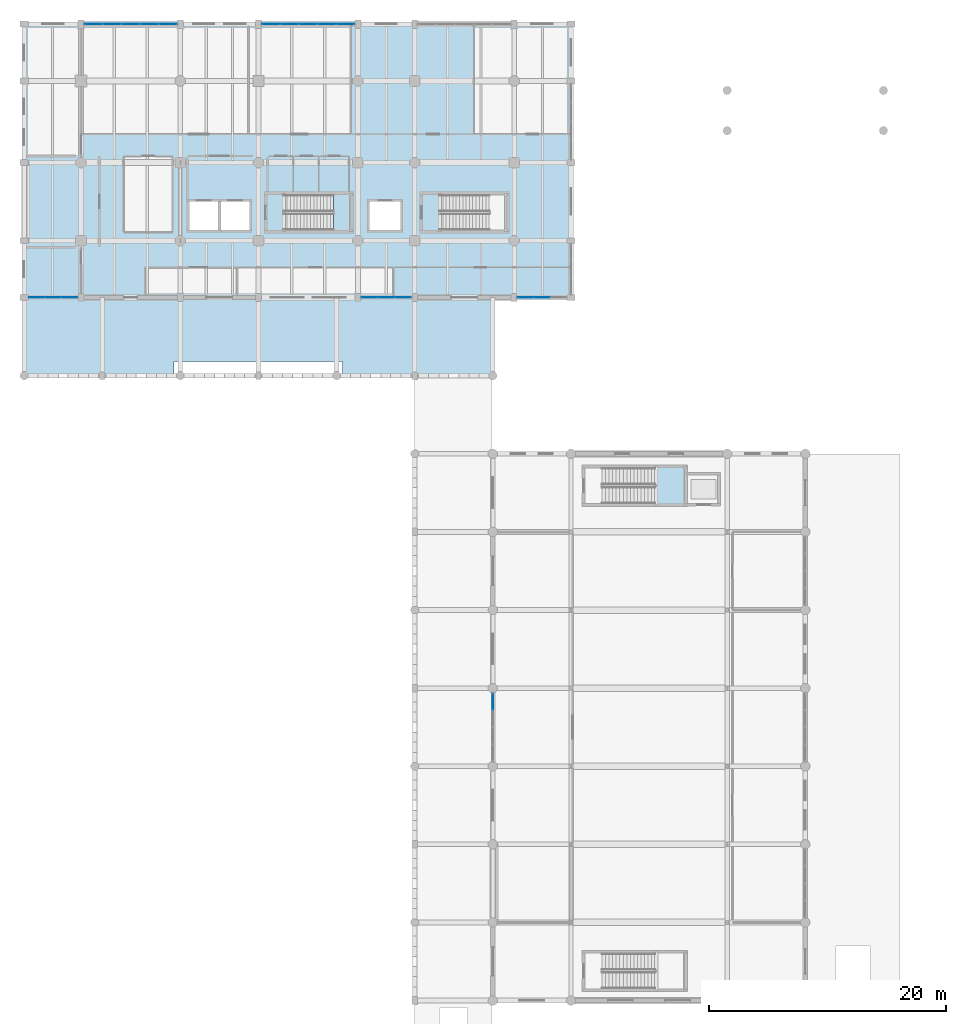
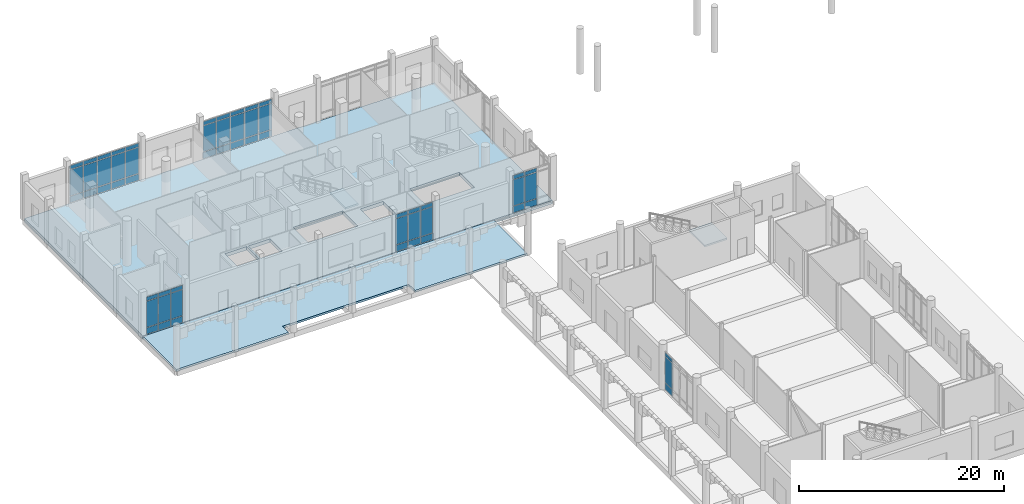
# One storey, part 34 of 72: 57 plates, 4 slabs, 8 elements without a shape of their own.
"""IFC4 building model written with IfcOpenShell, lengths in metres."""

from ifc_helpers import new_model, si_unit, direction, frame, origin, origin_2d, place, context, subcontext, project, spatial, polyline, rectangle, outline, extrude, material, layer, layer_set, type_object, element, aggregate, save


model = new_model("IFC4")

# Units and contexts
model_context = context("Model", 3, precision=1e-05, world=origin(), true_north=direction((0.0, 1.0)))
body_context = subcontext(model_context, "Body", "Model", "MODEL_VIEW")
ifc_project = project(units=[si_unit("LENGTHUNIT", "METRE"), si_unit("AREAUNIT", "SQUARE_METRE"), si_unit("VOLUMEUNIT", "CUBIC_METRE"), si_unit("PLANEANGLEUNIT", "RADIAN"), si_unit("MASSUNIT", "GRAM", prefix="KILO")], contexts=[model_context])

# Site, building, storey
site_placement = place(None, origin())
site = spatial("IfcSite", under=ifc_project, at=site_placement, CompositionType="ELEMENT")
building_placement = place(site_placement, origin())
building = spatial("IfcBuilding", under=site, at=building_placement, Name="Dornvale Research Institute", CompositionType="ELEMENT")
storey_placement = place(building_placement, origin())
storey = spatial("IfcBuildingStorey", under=building, at=storey_placement, Name="L00", CompositionType="ELEMENT", Elevation=0.0)

# Slabs
ifc_material_1 = material(Name="Concrete f'c 35 MPa (C30/37)", Category="concrete")
ifc_layer_1 = layer(ifc_material_1, 0.239990234375)
ifc_layer_set_1 = layer_set([ifc_layer_1], Name="Concrete f'c 35 MPa (C30/37)")
slab_type_1 = type_object("IfcSlabType", Name="BaseSlab_Apron_240_Ext", PredefinedType="BASESLAB", material=ifc_layer_set_1)
slab_1_placement = place(storey_placement, frame((0.0, 0.0, -0.239990234375)))
element("IfcSlab", 1, at=slab_1_placement, inside=storey, type_object=slab_type_1, Name="L00 exterior colonnade and grade walk APR-SQ-N", PredefinedType="BASESLAB", context=body_context, shape_type="SweptSolid", body=[
    extrude(outline(polyline([(0.0, 92.39990234375), (12.656005859375, 92.39990234375), (12.656005859375, 93.60009765625), (26.89404296875, 93.60009765625), (26.89404296875, 92.39990234375), (39.550048828125, 92.39990234375), (39.550048828125, 98.949951171875), (0.0, 98.949951171875), (0.0, 92.39990234375)])), origin(), (0.0, 0.0, 1.0), 0.239990234375),
])
ifc_material_2 = material(Name="Concrete f'c 40 MPa (C32/40)", Category="concrete")
ifc_layer_2 = layer(ifc_material_2, 0.419921875)
ifc_layer_set_2 = layer_set([ifc_layer_2], Name="Concrete f'c 40 MPa (C32/40)")
slab_type_2 = type_object("IfcSlabType", Name="BaseSlab_RC420", PredefinedType="BASESLAB", material=ifc_layer_set_2)
slab_2_placement = place(storey_placement, frame((0.0, 0.0, -0.419921875)))
element("IfcSlab", 2, at=slab_2_placement, inside=storey, type_object=slab_type_2, Name="L00 V5 structural base slab", PredefinedType="BASESLAB", context=body_context, shape_type="SweptSolid", body=[
    extrude(outline(polyline([(0.0, 99.0), (46.199951171875, 99.0), (46.199951171875, 122.10009765625), (0.0, 122.10009765625), (0.0, 99.0)]), holes=[polyline([(21.949951171875, 104.699951171875), (27.550048828125, 104.699951171875), (27.550048828125, 107.659912109375), (21.949951171875, 107.659912109375), (21.949951171875, 104.699951171875)]), polyline([(35.10009765625, 104.699951171875), (40.699951171875, 104.699951171875), (40.699951171875, 107.659912109375), (35.10009765625, 107.659912109375), (35.10009765625, 104.699951171875)]), polyline([(13.949951171875, 104.699951171875), (16.39990234375, 104.699951171875), (16.39990234375, 107.10009765625), (13.949951171875, 107.10009765625), (13.949951171875, 104.699951171875)]), polyline([(16.60009765625, 104.699951171875), (19.050048828125, 104.699951171875), (19.050048828125, 107.10009765625), (16.60009765625, 107.10009765625), (16.60009765625, 104.699951171875)]), polyline([(29.199951171875, 104.699951171875), (31.800048828125, 104.699951171875), (31.800048828125, 107.10009765625), (29.199951171875, 107.10009765625), (29.199951171875, 104.699951171875)])]), origin(), (0.0, 0.0, 1.0), 0.419921875),
])

# Curtain wall, plate
ifc_material_3 = material(Name="Low-E Argon Double Insulating Glazing Unit", Category="glass")
curtain_wall_type_1 = type_object("IfcCurtainWallType", Name="UnitisedCurtainWall_V2_5810x4550", PredefinedType="USERDEFINED", material=ifc_material_3)
curtain_wall_1_placement = place(storey_placement, origin())
curtain_wall_1 = element("IfcCurtainWall", 3, at=curtain_wall_1_placement, inside=storey, type_object=curtain_wall_type_1, Name="L00 V2 unitised curtain wall CW-01 #1", ObjectType="UNITISED CURTAIN WALL", PredefinedType="USERDEFINED")
ifc_material_4 = material(Name="Insulated Ceramic-Frit Spandrel Glass Panel", Category="glass")
ifc_layer_3 = layer(ifc_material_4, 0.0419921875)
ifc_layer_set_3 = layer_set([ifc_layer_3], Name="Insulated Ceramic-Frit Spandrel Glass Panel")
plate_type_1 = type_object("IfcPlateType", Name="CurtainPanel_Spandrel_42", PredefinedType="CURTAIN_PANEL", material=ifc_layer_set_3)
plate_1_placement = place(storey_placement, frame((39.60009765625, 64.862548828125, 0.06494140625), z_axis=(0.0, 0.0, 1.0), x_axis=(0.0, 1.0, 0.0)))
plate_1 = element("IfcPlate", 4, at=plate_1_placement, type_object=plate_type_1, Name="CW-01 panel 4.1", PredefinedType="CURTAIN_PANEL", context=body_context, shape_type="SweptSolid", body=[
    extrude(rectangle(XDim=1.35498046875, YDim=0.0419921875, at=origin_2d()), origin(), (0.0, 0.0, 1.0), 0.75244140625),
])

# Curtain wall, plates
ifc_material_5 = material(Name="Low-E Argon Double Insulating Glazing Unit", Category="glass")
curtain_wall_type_2 = type_object("IfcCurtainWallType", Name="UnitisedCurtainWall_V5_7900x4550", PredefinedType="USERDEFINED", material=ifc_material_5)
curtain_wall_2_placement = place(storey_placement, origin())
curtain_wall_2 = element("IfcCurtainWall", 5, at=curtain_wall_2_placement, inside=storey, type_object=curtain_wall_type_2, Name="L00 V5 unitised curtain wall CW-20 #125", ObjectType="UNITISED CURTAIN WALL", PredefinedType="USERDEFINED")
plate_2_placement = place(storey_placement, frame((5.856201171875, 122.10009765625, 0.06494140625), z_axis=(0.0, 0.0, 1.0), x_axis=(1.0, 0.0, 0.0)))
plate_2 = element("IfcPlate", 6, at=plate_2_placement, type_object=plate_type_1, Name="CW-20 panel 1.1", PredefinedType="CURTAIN_PANEL", context=body_context, shape_type="SweptSolid", body=[
    extrude(rectangle(XDim=1.482421875, YDim=0.0419921875, at=origin_2d()), origin(), (0.0, 0.0, 1.0), 0.75244140625),
])
plate_3_placement = place(storey_placement, frame((7.419921875, 122.10009765625, 0.06494140625), z_axis=(0.0, 0.0, 1.0), x_axis=(1.0, 0.0, 0.0)))
plate_3 = element("IfcPlate", 7, at=plate_3_placement, type_object=plate_type_1, Name="CW-20 panel 2.1", PredefinedType="CURTAIN_PANEL", context=body_context, shape_type="SweptSolid", body=[
    extrude(rectangle(XDim=1.514892578125, YDim=0.0419921875, at=origin_2d()), origin(), (0.0, 0.0, 1.0), 0.75244140625),
])
plate_4_placement = place(storey_placement, frame((9.0, 122.10009765625, 0.06494140625), z_axis=(0.0, 0.0, 1.0), x_axis=(1.0, 0.0, 0.0)))
plate_4 = element("IfcPlate", 8, at=plate_4_placement, type_object=plate_type_1, Name="CW-20 panel 3.1", PredefinedType="CURTAIN_PANEL", context=body_context, shape_type="SweptSolid", body=[
    extrude(rectangle(XDim=1.514892578125, YDim=0.0419921875, at=origin_2d()), origin(), (0.0, 0.0, 1.0), 0.75244140625),
])
plate_5_placement = place(storey_placement, frame((10.580078125, 122.10009765625, 0.06494140625), z_axis=(0.0, 0.0, 1.0), x_axis=(1.0, 0.0, 0.0)))
plate_5 = element("IfcPlate", 9, at=plate_5_placement, type_object=plate_type_1, Name="CW-20 panel 4.1", PredefinedType="CURTAIN_PANEL", context=body_context, shape_type="SweptSolid", body=[
    extrude(rectangle(XDim=1.514892578125, YDim=0.0419921875, at=origin_2d()), origin(), (0.0, 0.0, 1.0), 0.75244140625),
])
plate_6_placement = place(storey_placement, frame((12.143798828125, 122.10009765625, 0.06494140625), z_axis=(0.0, 0.0, 1.0), x_axis=(1.0, 0.0, 0.0)))
plate_6 = element("IfcPlate", 10, at=plate_6_placement, type_object=plate_type_1, Name="CW-20 panel 5.1", PredefinedType="CURTAIN_PANEL", context=body_context, shape_type="SweptSolid", body=[
    extrude(rectangle(XDim=1.482421875, YDim=0.0419921875, at=origin_2d()), origin(), (0.0, 0.0, 1.0), 0.75244140625),
])

curtain_wall_3_placement = place(storey_placement, origin())
curtain_wall_3 = element("IfcCurtainWall", 11, at=curtain_wall_3_placement, inside=storey, type_object=curtain_wall_type_2, Name="L00 V5 unitised curtain wall CW-20 #126", ObjectType="UNITISED CURTAIN WALL", PredefinedType="USERDEFINED")
plate_7_placement = place(storey_placement, frame((20.856201171875, 122.10009765625, 0.06494140625), z_axis=(0.0, 0.0, 1.0), x_axis=(1.0, 0.0, 0.0)))
plate_7 = element("IfcPlate", 12, at=plate_7_placement, type_object=plate_type_1, Name="CW-20 panel 1.1", PredefinedType="CURTAIN_PANEL", context=body_context, shape_type="SweptSolid", body=[
    extrude(rectangle(XDim=1.482421875, YDim=0.0419921875, at=origin_2d()), origin(), (0.0, 0.0, 1.0), 0.75244140625),
])
plate_8_placement = place(storey_placement, frame((22.419921875, 122.10009765625, 0.06494140625), z_axis=(0.0, 0.0, 1.0), x_axis=(1.0, 0.0, 0.0)))
plate_8 = element("IfcPlate", 13, at=plate_8_placement, type_object=plate_type_1, Name="CW-20 panel 2.1", PredefinedType="CURTAIN_PANEL", context=body_context, shape_type="SweptSolid", body=[
    extrude(rectangle(XDim=1.514892578125, YDim=0.0419921875, at=origin_2d()), origin(), (0.0, 0.0, 1.0), 0.75244140625),
])
plate_9_placement = place(storey_placement, frame((24.0, 122.10009765625, 0.06494140625), z_axis=(0.0, 0.0, 1.0), x_axis=(1.0, 0.0, 0.0)))
plate_9 = element("IfcPlate", 14, at=plate_9_placement, type_object=plate_type_1, Name="CW-20 panel 3.1", PredefinedType="CURTAIN_PANEL", context=body_context, shape_type="SweptSolid", body=[
    extrude(rectangle(XDim=1.514892578125, YDim=0.0419921875, at=origin_2d()), origin(), (0.0, 0.0, 1.0), 0.75244140625),
])
plate_10_placement = place(storey_placement, frame((25.580078125, 122.10009765625, 0.06494140625), z_axis=(0.0, 0.0, 1.0), x_axis=(1.0, 0.0, 0.0)))
plate_10 = element("IfcPlate", 15, at=plate_10_placement, type_object=plate_type_1, Name="CW-20 panel 4.1", PredefinedType="CURTAIN_PANEL", context=body_context, shape_type="SweptSolid", body=[
    extrude(rectangle(XDim=1.514892578125, YDim=0.0419921875, at=origin_2d()), origin(), (0.0, 0.0, 1.0), 0.75244140625),
])
plate_11_placement = place(storey_placement, frame((27.143798828125, 122.10009765625, 0.06494140625), z_axis=(0.0, 0.0, 1.0), x_axis=(1.0, 0.0, 0.0)))
plate_11 = element("IfcPlate", 16, at=plate_11_placement, type_object=plate_type_1, Name="CW-20 panel 5.1", PredefinedType="CURTAIN_PANEL", context=body_context, shape_type="SweptSolid", body=[
    extrude(rectangle(XDim=1.482421875, YDim=0.0419921875, at=origin_2d()), origin(), (0.0, 0.0, 1.0), 0.75244140625),
])

ifc_material_6 = material(Name="Low-E Argon Double Insulating Glazing Unit", Category="glass")
curtain_wall_type_3 = type_object("IfcCurtainWallType", Name="UnitisedCurtainWall_V5_4200x4550", PredefinedType="USERDEFINED", material=ifc_material_6)
curtain_wall_4_placement = place(storey_placement, origin())
curtain_wall_4 = element("IfcCurtainWall", 17, at=curtain_wall_4_placement, inside=storey, type_object=curtain_wall_type_3, Name="L00 V5 unitised curtain wall CW-23 #130", ObjectType="UNITISED CURTAIN WALL", PredefinedType="USERDEFINED")
plate_12_placement = place(storey_placement, frame((43.75, 99.0, 0.06494140625), z_axis=(0.0, 0.0, 1.0), x_axis=(-1.0, 0.0, 0.0)))
plate_12 = element("IfcPlate", 18, at=plate_12_placement, type_object=plate_type_1, Name="CW-23 panel 2.1", PredefinedType="CURTAIN_PANEL", context=body_context, shape_type="SweptSolid", body=[
    extrude(rectangle(XDim=1.3349609375, YDim=0.0419921875, at=origin_2d()), origin(), (0.0, 0.0, 1.0), 0.75244140625),
])
plate_13_placement = place(storey_placement, frame((42.3662109375, 99.0, 0.06494140625), z_axis=(0.0, 0.0, 1.0), x_axis=(-1.0, 0.0, 0.0)))
plate_13 = element("IfcPlate", 19, at=plate_13_placement, type_object=plate_type_1, Name="CW-23 panel 3.1", PredefinedType="CURTAIN_PANEL", context=body_context, shape_type="SweptSolid", body=[
    extrude(rectangle(XDim=1.302490234375, YDim=0.0419921875, at=origin_2d()), origin(), (0.0, 0.0, 1.0), 0.75244140625),
])

ifc_material_7 = material(Name="Low-E Argon Double Insulating Glazing Unit", Category="glass")
curtain_wall_type_4 = type_object("IfcCurtainWallType", Name="UnitisedCurtainWall_V5_4300x4550", PredefinedType="USERDEFINED", material=ifc_material_7)
curtain_wall_5_placement = place(storey_placement, origin())
curtain_wall_5 = element("IfcCurtainWall", 20, at=curtain_wall_5_placement, inside=storey, type_object=curtain_wall_type_4, Name="L00 V5 unitised curtain wall CW-22 #131", ObjectType="UNITISED CURTAIN WALL", PredefinedType="USERDEFINED")
plate_14_placement = place(storey_placement, frame((32.01708984375, 99.0, 0.06494140625), z_axis=(0.0, 0.0, 1.0), x_axis=(-1.0, 0.0, 0.0)))
plate_14 = element("IfcPlate", 21, at=plate_14_placement, type_object=plate_type_1, Name="CW-22 panel 1.1", PredefinedType="CURTAIN_PANEL", context=body_context, shape_type="SweptSolid", body=[
    extrude(rectangle(XDim=1.3359375, YDim=0.0419921875, at=origin_2d()), origin(), (0.0, 0.0, 1.0), 0.75244140625),
])
plate_15_placement = place(storey_placement, frame((30.60009765625, 99.0, 0.06494140625), z_axis=(0.0, 0.0, 1.0), x_axis=(-1.0, 0.0, 0.0)))
plate_15 = element("IfcPlate", 22, at=plate_15_placement, type_object=plate_type_1, Name="CW-22 panel 2.1", PredefinedType="CURTAIN_PANEL", context=body_context, shape_type="SweptSolid", body=[
    extrude(rectangle(XDim=1.368408203125, YDim=0.0419921875, at=origin_2d()), origin(), (0.0, 0.0, 1.0), 0.75244140625),
])
plate_16_placement = place(storey_placement, frame((29.182861328125, 99.0, 0.06494140625), z_axis=(0.0, 0.0, 1.0), x_axis=(-1.0, 0.0, 0.0)))
plate_16 = element("IfcPlate", 23, at=plate_16_placement, type_object=plate_type_1, Name="CW-22 panel 3.1", PredefinedType="CURTAIN_PANEL", context=body_context, shape_type="SweptSolid", body=[
    extrude(rectangle(XDim=1.3359375, YDim=0.0419921875, at=origin_2d()), origin(), (0.0, 0.0, 1.0), 0.75244140625),
])

curtain_wall_6_placement = place(storey_placement, origin())
curtain_wall_6 = element("IfcCurtainWall", 24, at=curtain_wall_6_placement, inside=storey, type_object=curtain_wall_type_3, Name="L00 V5 unitised curtain wall CW-23 #132", ObjectType="UNITISED CURTAIN WALL", PredefinedType="USERDEFINED")
plate_17_placement = place(storey_placement, frame((3.833740234375, 99.0, 0.06494140625), z_axis=(0.0, 0.0, 1.0), x_axis=(-1.0, 0.0, 0.0)))
plate_17 = element("IfcPlate", 25, at=plate_17_placement, type_object=plate_type_1, Name="CW-23 panel 1.1", PredefinedType="CURTAIN_PANEL", context=body_context, shape_type="SweptSolid", body=[
    extrude(rectangle(XDim=1.302490234375, YDim=0.0419921875, at=origin_2d()), origin(), (0.0, 0.0, 1.0), 0.75244140625),
])
plate_18_placement = place(storey_placement, frame((2.449951171875, 99.0, 0.06494140625), z_axis=(0.0, 0.0, 1.0), x_axis=(-1.0, 0.0, 0.0)))
plate_18 = element("IfcPlate", 26, at=plate_18_placement, type_object=plate_type_1, Name="CW-23 panel 2.1", PredefinedType="CURTAIN_PANEL", context=body_context, shape_type="SweptSolid", body=[
    extrude(rectangle(XDim=1.3349609375, YDim=0.0419921875, at=origin_2d()), origin(), (0.0, 0.0, 1.0), 0.75244140625),
])
plate_19_placement = place(storey_placement, frame((1.066162109375, 99.0, 0.06494140625), z_axis=(0.0, 0.0, 1.0), x_axis=(-1.0, 0.0, 0.0)))
plate_19 = element("IfcPlate", 27, at=plate_19_placement, type_object=plate_type_1, Name="CW-23 panel 3.1", PredefinedType="CURTAIN_PANEL", context=body_context, shape_type="SweptSolid", body=[
    extrude(rectangle(XDim=1.302490234375, YDim=0.0419921875, at=origin_2d()), origin(), (0.0, 0.0, 1.0), 0.75244140625),
])

# Plate
ifc_material_8 = material(Name="Low-E Argon Double Insulating Glazing Unit", Category="glass")
ifc_layer_4 = layer(ifc_material_8, 0.028076171875)
ifc_layer_set_4 = layer_set([ifc_layer_4], Name="Low-E Argon Double Insulating Glazing Unit")
plate_type_2 = type_object("IfcPlateType", Name="CurtainPanel_Vision_28", PredefinedType="CURTAIN_PANEL", material=ifc_layer_set_4)
plate_20_placement = place(storey_placement, frame((39.60009765625, 64.862548828125, 0.882568359375), z_axis=(0.0, 0.0, 1.0), x_axis=(0.0, 1.0, 0.0)))
plate_20 = element("IfcPlate", 28, at=plate_20_placement, type_object=plate_type_2, Name="CW-01 panel 4.2", PredefinedType="CURTAIN_PANEL", context=body_context, shape_type="SweptSolid", body=[
    extrude(rectangle(XDim=1.35498046875, YDim=0.028076171875, at=origin_2d()), origin(), (0.0, 0.0, 1.0), 3.0849609375),
])

plate_21_placement = place(storey_placement, frame((39.60009765625, 64.862548828125, 4.03271484375), z_axis=(0.0, 0.0, 1.0), x_axis=(0.0, 1.0, 0.0)))
plate_21 = element("IfcPlate", 29, at=plate_21_placement, type_object=plate_type_2, Name="CW-01 panel 4.3", PredefinedType="CURTAIN_PANEL", context=body_context, shape_type="SweptSolid", body=[
    extrude(rectangle(XDim=1.35498046875, YDim=0.028076171875, at=origin_2d()), origin(), (0.0, 0.0, 1.0), 0.452392578125),
])

aggregate(curtain_wall_1, [plate_1, plate_20, plate_21])

plate_22_placement = place(storey_placement, frame((5.856201171875, 122.10009765625, 0.882568359375), z_axis=(0.0, 0.0, 1.0), x_axis=(1.0, 0.0, 0.0)))
plate_22 = element("IfcPlate", 30, at=plate_22_placement, type_object=plate_type_2, Name="CW-20 panel 1.2", PredefinedType="CURTAIN_PANEL", context=body_context, shape_type="SweptSolid", body=[
    extrude(rectangle(XDim=1.482421875, YDim=0.028076171875, at=origin_2d()), origin(), (0.0, 0.0, 1.0), 3.0849609375),
])

plate_23_placement = place(storey_placement, frame((5.856201171875, 122.10009765625, 4.03271484375), z_axis=(0.0, 0.0, 1.0), x_axis=(1.0, 0.0, 0.0)))
plate_23 = element("IfcPlate", 31, at=plate_23_placement, type_object=plate_type_2, Name="CW-20 panel 1.3", PredefinedType="CURTAIN_PANEL", context=body_context, shape_type="SweptSolid", body=[
    extrude(rectangle(XDim=1.482421875, YDim=0.028076171875, at=origin_2d()), origin(), (0.0, 0.0, 1.0), 0.452392578125),
])

plate_24_placement = place(storey_placement, frame((7.419921875, 122.10009765625, 0.882568359375), z_axis=(0.0, 0.0, 1.0), x_axis=(1.0, 0.0, 0.0)))
plate_24 = element("IfcPlate", 32, at=plate_24_placement, type_object=plate_type_2, Name="CW-20 panel 2.2", PredefinedType="CURTAIN_PANEL", context=body_context, shape_type="SweptSolid", body=[
    extrude(rectangle(XDim=1.514892578125, YDim=0.028076171875, at=origin_2d()), origin(), (0.0, 0.0, 1.0), 3.0849609375),
])

plate_25_placement = place(storey_placement, frame((7.419921875, 122.10009765625, 4.03271484375), z_axis=(0.0, 0.0, 1.0), x_axis=(1.0, 0.0, 0.0)))
plate_25 = element("IfcPlate", 33, at=plate_25_placement, type_object=plate_type_2, Name="CW-20 panel 2.3", PredefinedType="CURTAIN_PANEL", context=body_context, shape_type="SweptSolid", body=[
    extrude(rectangle(XDim=1.514892578125, YDim=0.028076171875, at=origin_2d()), origin(), (0.0, 0.0, 1.0), 0.452392578125),
])

plate_26_placement = place(storey_placement, frame((9.0, 122.10009765625, 0.882568359375), z_axis=(0.0, 0.0, 1.0), x_axis=(1.0, 0.0, 0.0)))
plate_26 = element("IfcPlate", 34, at=plate_26_placement, type_object=plate_type_2, Name="CW-20 panel 3.2", PredefinedType="CURTAIN_PANEL", context=body_context, shape_type="SweptSolid", body=[
    extrude(rectangle(XDim=1.514892578125, YDim=0.028076171875, at=origin_2d()), origin(), (0.0, 0.0, 1.0), 3.0849609375),
])

plate_27_placement = place(storey_placement, frame((9.0, 122.10009765625, 4.03271484375), z_axis=(0.0, 0.0, 1.0), x_axis=(1.0, 0.0, 0.0)))
plate_27 = element("IfcPlate", 35, at=plate_27_placement, type_object=plate_type_2, Name="CW-20 panel 3.3", PredefinedType="CURTAIN_PANEL", context=body_context, shape_type="SweptSolid", body=[
    extrude(rectangle(XDim=1.514892578125, YDim=0.028076171875, at=origin_2d()), origin(), (0.0, 0.0, 1.0), 0.452392578125),
])

plate_28_placement = place(storey_placement, frame((10.580078125, 122.10009765625, 0.882568359375), z_axis=(0.0, 0.0, 1.0), x_axis=(1.0, 0.0, 0.0)))
plate_28 = element("IfcPlate", 36, at=plate_28_placement, type_object=plate_type_2, Name="CW-20 panel 4.2", PredefinedType="CURTAIN_PANEL", context=body_context, shape_type="SweptSolid", body=[
    extrude(rectangle(XDim=1.514892578125, YDim=0.028076171875, at=origin_2d()), origin(), (0.0, 0.0, 1.0), 3.0849609375),
])

plate_29_placement = place(storey_placement, frame((10.580078125, 122.10009765625, 4.03271484375), z_axis=(0.0, 0.0, 1.0), x_axis=(1.0, 0.0, 0.0)))
plate_29 = element("IfcPlate", 37, at=plate_29_placement, type_object=plate_type_2, Name="CW-20 panel 4.3", PredefinedType="CURTAIN_PANEL", context=body_context, shape_type="SweptSolid", body=[
    extrude(rectangle(XDim=1.514892578125, YDim=0.028076171875, at=origin_2d()), origin(), (0.0, 0.0, 1.0), 0.452392578125),
])

plate_30_placement = place(storey_placement, frame((12.143798828125, 122.10009765625, 0.882568359375), z_axis=(0.0, 0.0, 1.0), x_axis=(1.0, 0.0, 0.0)))
plate_30 = element("IfcPlate", 38, at=plate_30_placement, type_object=plate_type_2, Name="CW-20 panel 5.2", PredefinedType="CURTAIN_PANEL", context=body_context, shape_type="SweptSolid", body=[
    extrude(rectangle(XDim=1.482421875, YDim=0.028076171875, at=origin_2d()), origin(), (0.0, 0.0, 1.0), 3.0849609375),
])

plate_31_placement = place(storey_placement, frame((12.143798828125, 122.10009765625, 4.03271484375), z_axis=(0.0, 0.0, 1.0), x_axis=(1.0, 0.0, 0.0)))
plate_31 = element("IfcPlate", 39, at=plate_31_placement, type_object=plate_type_2, Name="CW-20 panel 5.3", PredefinedType="CURTAIN_PANEL", context=body_context, shape_type="SweptSolid", body=[
    extrude(rectangle(XDim=1.482421875, YDim=0.028076171875, at=origin_2d()), origin(), (0.0, 0.0, 1.0), 0.452392578125),
])

aggregate(curtain_wall_2, [plate_2, plate_22, plate_23, plate_3, plate_24, plate_25, plate_4, plate_26, plate_27, plate_5, plate_28, plate_29, plate_6, plate_30, plate_31])

plate_32_placement = place(storey_placement, frame((20.856201171875, 122.10009765625, 0.882568359375), z_axis=(0.0, 0.0, 1.0), x_axis=(1.0, 0.0, 0.0)))
plate_32 = element("IfcPlate", 40, at=plate_32_placement, type_object=plate_type_2, Name="CW-20 panel 1.2", PredefinedType="CURTAIN_PANEL", context=body_context, shape_type="SweptSolid", body=[
    extrude(rectangle(XDim=1.482421875, YDim=0.028076171875, at=origin_2d()), origin(), (0.0, 0.0, 1.0), 3.0849609375),
])

plate_33_placement = place(storey_placement, frame((20.856201171875, 122.10009765625, 4.03271484375), z_axis=(0.0, 0.0, 1.0), x_axis=(1.0, 0.0, 0.0)))
plate_33 = element("IfcPlate", 41, at=plate_33_placement, type_object=plate_type_2, Name="CW-20 panel 1.3", PredefinedType="CURTAIN_PANEL", context=body_context, shape_type="SweptSolid", body=[
    extrude(rectangle(XDim=1.482421875, YDim=0.028076171875, at=origin_2d()), origin(), (0.0, 0.0, 1.0), 0.452392578125),
])

plate_34_placement = place(storey_placement, frame((22.419921875, 122.10009765625, 0.882568359375), z_axis=(0.0, 0.0, 1.0), x_axis=(1.0, 0.0, 0.0)))
plate_34 = element("IfcPlate", 42, at=plate_34_placement, type_object=plate_type_2, Name="CW-20 panel 2.2", PredefinedType="CURTAIN_PANEL", context=body_context, shape_type="SweptSolid", body=[
    extrude(rectangle(XDim=1.514892578125, YDim=0.028076171875, at=origin_2d()), origin(), (0.0, 0.0, 1.0), 3.0849609375),
])

plate_35_placement = place(storey_placement, frame((22.419921875, 122.10009765625, 4.03271484375), z_axis=(0.0, 0.0, 1.0), x_axis=(1.0, 0.0, 0.0)))
plate_35 = element("IfcPlate", 43, at=plate_35_placement, type_object=plate_type_2, Name="CW-20 panel 2.3", PredefinedType="CURTAIN_PANEL", context=body_context, shape_type="SweptSolid", body=[
    extrude(rectangle(XDim=1.514892578125, YDim=0.028076171875, at=origin_2d()), origin(), (0.0, 0.0, 1.0), 0.452392578125),
])

plate_36_placement = place(storey_placement, frame((24.0, 122.10009765625, 0.882568359375), z_axis=(0.0, 0.0, 1.0), x_axis=(1.0, 0.0, 0.0)))
plate_36 = element("IfcPlate", 44, at=plate_36_placement, type_object=plate_type_2, Name="CW-20 panel 3.2", PredefinedType="CURTAIN_PANEL", context=body_context, shape_type="SweptSolid", body=[
    extrude(rectangle(XDim=1.514892578125, YDim=0.028076171875, at=origin_2d()), origin(), (0.0, 0.0, 1.0), 3.0849609375),
])

plate_37_placement = place(storey_placement, frame((24.0, 122.10009765625, 4.03271484375), z_axis=(0.0, 0.0, 1.0), x_axis=(1.0, 0.0, 0.0)))
plate_37 = element("IfcPlate", 45, at=plate_37_placement, type_object=plate_type_2, Name="CW-20 panel 3.3", PredefinedType="CURTAIN_PANEL", context=body_context, shape_type="SweptSolid", body=[
    extrude(rectangle(XDim=1.514892578125, YDim=0.028076171875, at=origin_2d()), origin(), (0.0, 0.0, 1.0), 0.452392578125),
])

plate_38_placement = place(storey_placement, frame((25.580078125, 122.10009765625, 0.882568359375), z_axis=(0.0, 0.0, 1.0), x_axis=(1.0, 0.0, 0.0)))
plate_38 = element("IfcPlate", 46, at=plate_38_placement, type_object=plate_type_2, Name="CW-20 panel 4.2", PredefinedType="CURTAIN_PANEL", context=body_context, shape_type="SweptSolid", body=[
    extrude(rectangle(XDim=1.514892578125, YDim=0.028076171875, at=origin_2d()), origin(), (0.0, 0.0, 1.0), 3.0849609375),
])

plate_39_placement = place(storey_placement, frame((25.580078125, 122.10009765625, 4.03271484375), z_axis=(0.0, 0.0, 1.0), x_axis=(1.0, 0.0, 0.0)))
plate_39 = element("IfcPlate", 47, at=plate_39_placement, type_object=plate_type_2, Name="CW-20 panel 4.3", PredefinedType="CURTAIN_PANEL", context=body_context, shape_type="SweptSolid", body=[
    extrude(rectangle(XDim=1.514892578125, YDim=0.028076171875, at=origin_2d()), origin(), (0.0, 0.0, 1.0), 0.452392578125),
])

plate_40_placement = place(storey_placement, frame((27.143798828125, 122.10009765625, 0.882568359375), z_axis=(0.0, 0.0, 1.0), x_axis=(1.0, 0.0, 0.0)))
plate_40 = element("IfcPlate", 48, at=plate_40_placement, type_object=plate_type_2, Name="CW-20 panel 5.2", PredefinedType="CURTAIN_PANEL", context=body_context, shape_type="SweptSolid", body=[
    extrude(rectangle(XDim=1.482421875, YDim=0.028076171875, at=origin_2d()), origin(), (0.0, 0.0, 1.0), 3.0849609375),
])

plate_41_placement = place(storey_placement, frame((27.143798828125, 122.10009765625, 4.03271484375), z_axis=(0.0, 0.0, 1.0), x_axis=(1.0, 0.0, 0.0)))
plate_41 = element("IfcPlate", 49, at=plate_41_placement, type_object=plate_type_2, Name="CW-20 panel 5.3", PredefinedType="CURTAIN_PANEL", context=body_context, shape_type="SweptSolid", body=[
    extrude(rectangle(XDim=1.482421875, YDim=0.028076171875, at=origin_2d()), origin(), (0.0, 0.0, 1.0), 0.452392578125),
])

aggregate(curtain_wall_3, [plate_7, plate_32, plate_33, plate_8, plate_34, plate_35, plate_9, plate_36, plate_37, plate_10, plate_38, plate_39, plate_11, plate_40, plate_41])

plate_42_placement = place(storey_placement, frame((43.75, 99.0, 0.882568359375), z_axis=(0.0, 0.0, 1.0), x_axis=(-1.0, 0.0, 0.0)))
plate_42 = element("IfcPlate", 50, at=plate_42_placement, type_object=plate_type_2, Name="CW-23 panel 2.2", PredefinedType="CURTAIN_PANEL", context=body_context, shape_type="SweptSolid", body=[
    extrude(rectangle(XDim=1.3349609375, YDim=0.028076171875, at=origin_2d()), origin(), (0.0, 0.0, 1.0), 3.0849609375),
])

plate_43_placement = place(storey_placement, frame((43.75, 99.0, 4.03271484375), z_axis=(0.0, 0.0, 1.0), x_axis=(-1.0, 0.0, 0.0)))
plate_43 = element("IfcPlate", 51, at=plate_43_placement, type_object=plate_type_2, Name="CW-23 panel 2.3", PredefinedType="CURTAIN_PANEL", context=body_context, shape_type="SweptSolid", body=[
    extrude(rectangle(XDim=1.3349609375, YDim=0.028076171875, at=origin_2d()), origin(), (0.0, 0.0, 1.0), 0.452392578125),
])

plate_44_placement = place(storey_placement, frame((42.3662109375, 99.0, 0.882568359375), z_axis=(0.0, 0.0, 1.0), x_axis=(-1.0, 0.0, 0.0)))
plate_44 = element("IfcPlate", 52, at=plate_44_placement, type_object=plate_type_2, Name="CW-23 panel 3.2", PredefinedType="CURTAIN_PANEL", context=body_context, shape_type="SweptSolid", body=[
    extrude(rectangle(XDim=1.302490234375, YDim=0.028076171875, at=origin_2d()), origin(), (0.0, 0.0, 1.0), 3.0849609375),
])

plate_45_placement = place(storey_placement, frame((42.3662109375, 99.0, 4.03271484375), z_axis=(0.0, 0.0, 1.0), x_axis=(-1.0, 0.0, 0.0)))
plate_45 = element("IfcPlate", 53, at=plate_45_placement, type_object=plate_type_2, Name="CW-23 panel 3.3", PredefinedType="CURTAIN_PANEL", context=body_context, shape_type="SweptSolid", body=[
    extrude(rectangle(XDim=1.302490234375, YDim=0.028076171875, at=origin_2d()), origin(), (0.0, 0.0, 1.0), 0.452392578125),
])

aggregate(curtain_wall_4, [plate_12, plate_42, plate_43, plate_13, plate_44, plate_45])

plate_46_placement = place(storey_placement, frame((32.01708984375, 99.0, 0.882568359375), z_axis=(0.0, 0.0, 1.0), x_axis=(-1.0, 0.0, 0.0)))
plate_46 = element("IfcPlate", 54, at=plate_46_placement, type_object=plate_type_2, Name="CW-22 panel 1.2", PredefinedType="CURTAIN_PANEL", context=body_context, shape_type="SweptSolid", body=[
    extrude(rectangle(XDim=1.3359375, YDim=0.028076171875, at=origin_2d()), origin(), (0.0, 0.0, 1.0), 3.0849609375),
])

plate_47_placement = place(storey_placement, frame((32.01708984375, 99.0, 4.03271484375), z_axis=(0.0, 0.0, 1.0), x_axis=(-1.0, 0.0, 0.0)))
plate_47 = element("IfcPlate", 55, at=plate_47_placement, type_object=plate_type_2, Name="CW-22 panel 1.3", PredefinedType="CURTAIN_PANEL", context=body_context, shape_type="SweptSolid", body=[
    extrude(rectangle(XDim=1.3359375, YDim=0.028076171875, at=origin_2d()), origin(), (0.0, 0.0, 1.0), 0.452392578125),
])

plate_48_placement = place(storey_placement, frame((30.60009765625, 99.0, 0.882568359375), z_axis=(0.0, 0.0, 1.0), x_axis=(-1.0, 0.0, 0.0)))
plate_48 = element("IfcPlate", 56, at=plate_48_placement, type_object=plate_type_2, Name="CW-22 panel 2.2", PredefinedType="CURTAIN_PANEL", context=body_context, shape_type="SweptSolid", body=[
    extrude(rectangle(XDim=1.368408203125, YDim=0.028076171875, at=origin_2d()), origin(), (0.0, 0.0, 1.0), 3.0849609375),
])

plate_49_placement = place(storey_placement, frame((30.60009765625, 99.0, 4.03271484375), z_axis=(0.0, 0.0, 1.0), x_axis=(-1.0, 0.0, 0.0)))
plate_49 = element("IfcPlate", 57, at=plate_49_placement, type_object=plate_type_2, Name="CW-22 panel 2.3", PredefinedType="CURTAIN_PANEL", context=body_context, shape_type="SweptSolid", body=[
    extrude(rectangle(XDim=1.368408203125, YDim=0.028076171875, at=origin_2d()), origin(), (0.0, 0.0, 1.0), 0.452392578125),
])

plate_50_placement = place(storey_placement, frame((29.182861328125, 99.0, 0.882568359375), z_axis=(0.0, 0.0, 1.0), x_axis=(-1.0, 0.0, 0.0)))
plate_50 = element("IfcPlate", 58, at=plate_50_placement, type_object=plate_type_2, Name="CW-22 panel 3.2", PredefinedType="CURTAIN_PANEL", context=body_context, shape_type="SweptSolid", body=[
    extrude(rectangle(XDim=1.3359375, YDim=0.028076171875, at=origin_2d()), origin(), (0.0, 0.0, 1.0), 3.0849609375),
])

plate_51_placement = place(storey_placement, frame((29.182861328125, 99.0, 4.03271484375), z_axis=(0.0, 0.0, 1.0), x_axis=(-1.0, 0.0, 0.0)))
plate_51 = element("IfcPlate", 59, at=plate_51_placement, type_object=plate_type_2, Name="CW-22 panel 3.3", PredefinedType="CURTAIN_PANEL", context=body_context, shape_type="SweptSolid", body=[
    extrude(rectangle(XDim=1.3359375, YDim=0.028076171875, at=origin_2d()), origin(), (0.0, 0.0, 1.0), 0.452392578125),
])

aggregate(curtain_wall_5, [plate_14, plate_46, plate_47, plate_15, plate_48, plate_49, plate_16, plate_50, plate_51])

plate_52_placement = place(storey_placement, frame((3.833740234375, 99.0, 0.882568359375), z_axis=(0.0, 0.0, 1.0), x_axis=(-1.0, 0.0, 0.0)))
plate_52 = element("IfcPlate", 60, at=plate_52_placement, type_object=plate_type_2, Name="CW-23 panel 1.2", PredefinedType="CURTAIN_PANEL", context=body_context, shape_type="SweptSolid", body=[
    extrude(rectangle(XDim=1.302490234375, YDim=0.028076171875, at=origin_2d()), origin(), (0.0, 0.0, 1.0), 3.0849609375),
])

plate_53_placement = place(storey_placement, frame((3.833740234375, 99.0, 4.03271484375), z_axis=(0.0, 0.0, 1.0), x_axis=(-1.0, 0.0, 0.0)))
plate_53 = element("IfcPlate", 61, at=plate_53_placement, type_object=plate_type_2, Name="CW-23 panel 1.3", PredefinedType="CURTAIN_PANEL", context=body_context, shape_type="SweptSolid", body=[
    extrude(rectangle(XDim=1.302490234375, YDim=0.028076171875, at=origin_2d()), origin(), (0.0, 0.0, 1.0), 0.452392578125),
])

plate_54_placement = place(storey_placement, frame((2.449951171875, 99.0, 0.882568359375), z_axis=(0.0, 0.0, 1.0), x_axis=(-1.0, 0.0, 0.0)))
plate_54 = element("IfcPlate", 62, at=plate_54_placement, type_object=plate_type_2, Name="CW-23 panel 2.2", PredefinedType="CURTAIN_PANEL", context=body_context, shape_type="SweptSolid", body=[
    extrude(rectangle(XDim=1.3349609375, YDim=0.028076171875, at=origin_2d()), origin(), (0.0, 0.0, 1.0), 3.0849609375),
])

plate_55_placement = place(storey_placement, frame((2.449951171875, 99.0, 4.03271484375), z_axis=(0.0, 0.0, 1.0), x_axis=(-1.0, 0.0, 0.0)))
plate_55 = element("IfcPlate", 63, at=plate_55_placement, type_object=plate_type_2, Name="CW-23 panel 2.3", PredefinedType="CURTAIN_PANEL", context=body_context, shape_type="SweptSolid", body=[
    extrude(rectangle(XDim=1.3349609375, YDim=0.028076171875, at=origin_2d()), origin(), (0.0, 0.0, 1.0), 0.452392578125),
])

plate_56_placement = place(storey_placement, frame((1.066162109375, 99.0, 0.882568359375), z_axis=(0.0, 0.0, 1.0), x_axis=(-1.0, 0.0, 0.0)))
plate_56 = element("IfcPlate", 64, at=plate_56_placement, type_object=plate_type_2, Name="CW-23 panel 3.2", PredefinedType="CURTAIN_PANEL", context=body_context, shape_type="SweptSolid", body=[
    extrude(rectangle(XDim=1.302490234375, YDim=0.028076171875, at=origin_2d()), origin(), (0.0, 0.0, 1.0), 3.0849609375),
])

plate_57_placement = place(storey_placement, frame((1.066162109375, 99.0, 4.03271484375), z_axis=(0.0, 0.0, 1.0), x_axis=(-1.0, 0.0, 0.0)))
plate_57 = element("IfcPlate", 65, at=plate_57_placement, type_object=plate_type_2, Name="CW-23 panel 3.3", PredefinedType="CURTAIN_PANEL", context=body_context, shape_type="SweptSolid", body=[
    extrude(rectangle(XDim=1.302490234375, YDim=0.028076171875, at=origin_2d()), origin(), (0.0, 0.0, 1.0), 0.452392578125),
])

aggregate(curtain_wall_6, [plate_17, plate_52, plate_53, plate_18, plate_54, plate_55, plate_19, plate_56, plate_57])

# Stair, slab
ifc_material_9 = material(Name="Concrete f'c 45 MPa (C35/45)", Category="concrete")
stair_type_1 = type_object("IfcStairType", Name="HalfTurnStair_RC", PredefinedType="HALF_TURN_STAIR", material=ifc_material_9)
stair_1_placement = place(storey_placement, origin())
stair_1 = element("IfcStair", 66, at=stair_1_placement, inside=storey, type_object=stair_type_1, Name="L00 Exit stair ST-1", PredefinedType="HALF_TURN_STAIR")
ifc_material_10 = material(Name="Concrete f'c 45 MPa (C35/45)", Category="concrete")
ifc_layer_5 = layer(ifc_material_10, 0.199951171875)
ifc_layer_set_5 = layer_set([ifc_layer_5], Name="Concrete f'c 45 MPa (C35/45)")
slab_type_3 = type_object("IfcSlabType", Name="Landing_Stair_200", PredefinedType="LANDING", material=ifc_layer_set_5)
slab_3_placement = place(storey_placement, frame((0.0, 0.0, 2.5)))
slab_3 = element("IfcSlab", 67, at=slab_3_placement, type_object=slab_type_3, Name="ST-1 landing 1", PredefinedType="LANDING", context=body_context, shape_type="SweptSolid", body=[
    extrude(outline(polyline([(26.1201171875, 104.669921875), (26.1201171875, 107.68994140625), (27.580078125, 107.68994140625), (27.580078125, 104.669921875), (26.1201171875, 104.669921875)])), origin(), (0.0, 0.0, 1.0), 0.199951171875),
])
aggregate(stair_1, [slab_3])

ifc_material_11 = material(Name="Concrete f'c 45 MPa (C35/45)", Category="concrete")
stair_type_2 = type_object("IfcStairType", Name="HalfTurnStair_RC_Secondary", PredefinedType="HALF_TURN_STAIR", material=ifc_material_11)
stair_2_placement = place(storey_placement, origin())
stair_2 = element("IfcStair", 68, at=stair_2_placement, inside=storey, type_object=stair_type_2, Name="L00 Exit stair ST-8", PredefinedType="HALF_TURN_STAIR")
slab_4_placement = place(storey_placement, frame((0.0, 0.0, 2.5)))
slab_4 = element("IfcSlab", 69, at=slab_4_placement, type_object=slab_type_3, Name="ST-8 landing 1", PredefinedType="LANDING", context=body_context, shape_type="SweptSolid", body=[
    extrude(outline(polyline([(53.2900390625, 81.570068359375), (53.2900390625, 84.6298828125), (55.830078125, 84.6298828125), (55.830078125, 81.570068359375), (53.2900390625, 81.570068359375)])), origin(), (0.0, 0.0, 1.0), 0.199951171875),
])
aggregate(stair_2, [slab_4])

save(model, "model.ifc")
